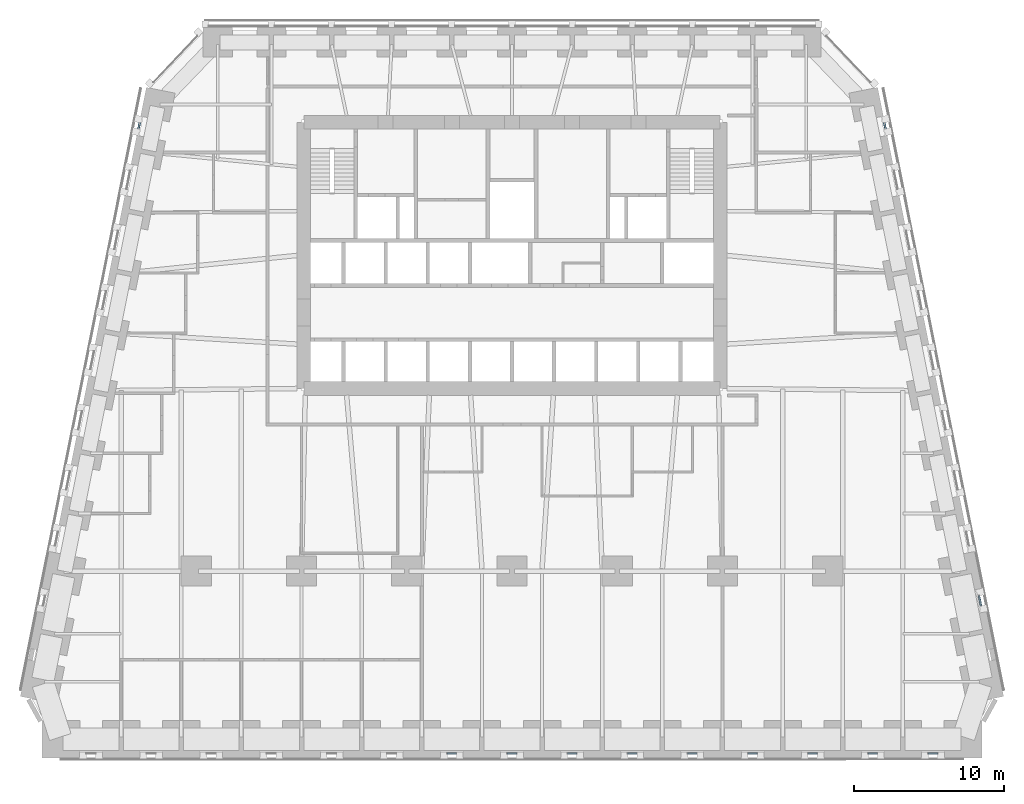
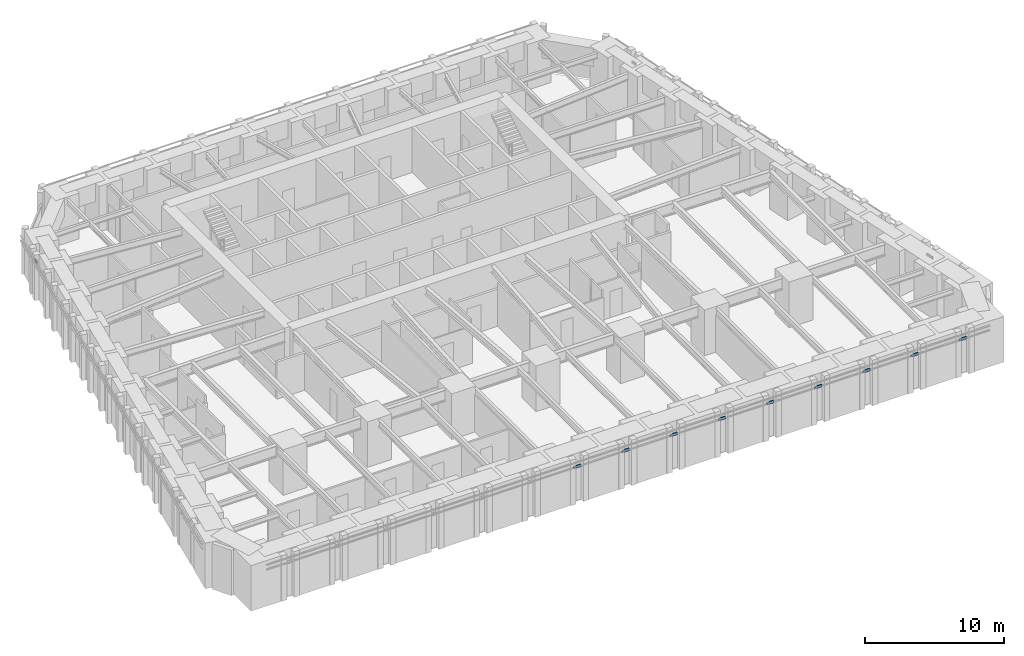
# One storey, part 5 of 16: 12 members, 12 elements without a shape of their own.
"""IFC4 building model written with IfcOpenShell, lengths in metres."""

from ifc_helpers import new_model, si_unit, direction, frame, origin, origin_2d, place, context, subcontext, project, spatial, rectangle, extrude, material, material_profile, profile_set, type_object, element, aggregate, save


model = new_model("IFC4")

# Units and contexts
model_context = context("Model", 3, precision=1e-05, world=origin(), true_north=direction((0.0, 1.0)))
body_context = subcontext(model_context, "Body", "Model", "MODEL_VIEW")
ifc_project = project(units=[si_unit("LENGTHUNIT", "METRE"), si_unit("AREAUNIT", "SQUARE_METRE"), si_unit("VOLUMEUNIT", "CUBIC_METRE"), si_unit("PLANEANGLEUNIT", "RADIAN"), si_unit("MASSUNIT", "GRAM", prefix="KILO")], contexts=[model_context])

# Site, building, storey
site_placement = place(None, origin())
site = spatial("IfcSite", under=ifc_project, at=site_placement, CompositionType="ELEMENT")
building_placement = place(site_placement, origin())
building = spatial("IfcBuilding", under=site, at=building_placement, Name="Isbrekke Arena Tower", CompositionType="ELEMENT")
storey_placement = place(building_placement, frame((0.0, 0.0, 52.0)))
storey = spatial("IfcBuildingStorey", under=building, at=storey_placement, Name="L10", CompositionType="ELEMENT", Elevation=52.0)

# Curtain wall, member
ifc_material_1 = material(Name="Glazed aluminium curtain wall", Category="aluminium")
curtain_wall_type = type_object("IfcCurtainWallType", Name="CWL TOWER CURTAIN WALL LOW ZONE", PredefinedType="USERDEFINED", material=ifc_material_1)
curtain_wall_1_placement = place(storey_placement, origin())
curtain_wall_1 = element("IfcCurtainWall", 1, at=curtain_wall_1_placement, inside=storey, type_object=curtain_wall_type, Name="CWL curtain wall L10-S13", ObjectType="TOWER CURTAIN WALL LOW ZONE", PredefinedType="USERDEFINED")
ifc_material_2 = material(Name="Aluminium transom", Category="aluminium")
ifc_material_profile = material_profile(ifc_material_2, rectangle(XDim=0.1201171875, YDim=0.199951171875, at=origin_2d()), Name="TRANSOM 120X200")
ifc_profile_set = profile_set([ifc_material_profile], Name="Aluminium transom")
member_type = type_object("IfcMemberType", Name="CWL-T TRANSOM 120 x 200", PredefinedType="USERDEFINED", material=ifc_profile_set)
member_1_placement = place(storey_placement, frame((-4.300048828125, -18.125, 3.0), z_axis=(1.0, 0.0, 0.0), x_axis=(0.0, 1.0, 0.0)))
member_1 = element("IfcMember", 2, at=member_1_placement, type_object=member_type, Name="CWL-T transom 1", ObjectType="TRANSOM", PredefinedType="USERDEFINED", context=body_context, shape_type="SweptSolid", body=[
    extrude(rectangle(XDim=0.1201171875, YDim=0.199951171875, at=origin_2d()), origin(), (0.0, 0.0, 1.0), 0.60009765625),
])
aggregate(curtain_wall_1, [member_1])

curtain_wall_2_placement = place(storey_placement, origin())
curtain_wall_2 = element("IfcCurtainWall", 3, at=curtain_wall_2_placement, inside=storey, type_object=curtain_wall_type, Name="CWL curtain wall L10-S15", ObjectType="TOWER CURTAIN WALL LOW ZONE", PredefinedType="USERDEFINED")
member_2_placement = place(storey_placement, frame((-0.300048828125, -18.125, 3.0), z_axis=(1.0, 0.0, 0.0), x_axis=(0.0, 1.0, 0.0)))
member_2 = element("IfcMember", 4, at=member_2_placement, type_object=member_type, Name="CWL-T transom 1", ObjectType="TRANSOM", PredefinedType="USERDEFINED", context=body_context, shape_type="SweptSolid", body=[
    extrude(rectangle(XDim=0.1201171875, YDim=0.199951171875, at=origin_2d()), origin(), (0.0, 0.0, 1.0), 0.60009765625),
])
aggregate(curtain_wall_2, [member_2])

curtain_wall_3_placement = place(storey_placement, origin())
curtain_wall_3 = element("IfcCurtainWall", 5, at=curtain_wall_3_placement, inside=storey, type_object=curtain_wall_type, Name="CWL curtain wall L10-S17", ObjectType="TOWER CURTAIN WALL LOW ZONE", PredefinedType="USERDEFINED")
member_3_placement = place(storey_placement, frame((3.699951171875, -18.125, 3.0), z_axis=(1.0, 0.0, 0.0), x_axis=(0.0, 1.0, 0.0)))
member_3 = element("IfcMember", 6, at=member_3_placement, type_object=member_type, Name="CWL-T transom 1", ObjectType="TRANSOM", PredefinedType="USERDEFINED", context=body_context, shape_type="SweptSolid", body=[
    extrude(rectangle(XDim=0.1201171875, YDim=0.199951171875, at=origin_2d()), origin(), (0.0, 0.0, 1.0), 0.60009765625),
])
aggregate(curtain_wall_3, [member_3])

curtain_wall_4_placement = place(storey_placement, origin())
curtain_wall_4 = element("IfcCurtainWall", 7, at=curtain_wall_4_placement, inside=storey, type_object=curtain_wall_type, Name="CWL curtain wall L10-S19", ObjectType="TOWER CURTAIN WALL LOW ZONE", PredefinedType="USERDEFINED")
member_4_placement = place(storey_placement, frame((7.699951171875, -18.125, 3.0), z_axis=(1.0, 0.0, 0.0), x_axis=(0.0, 1.0, 0.0)))
member_4 = element("IfcMember", 8, at=member_4_placement, type_object=member_type, Name="CWL-T transom 1", ObjectType="TRANSOM", PredefinedType="USERDEFINED", context=body_context, shape_type="SweptSolid", body=[
    extrude(rectangle(XDim=0.1201171875, YDim=0.199951171875, at=origin_2d()), origin(), (0.0, 0.0, 1.0), 0.60009765625),
])
aggregate(curtain_wall_4, [member_4])

curtain_wall_5_placement = place(storey_placement, origin())
curtain_wall_5 = element("IfcCurtainWall", 9, at=curtain_wall_5_placement, inside=storey, type_object=curtain_wall_type, Name="CWL curtain wall L10-S21", ObjectType="TOWER CURTAIN WALL LOW ZONE", PredefinedType="USERDEFINED")
member_5_placement = place(storey_placement, frame((11.699951171875, -18.125, 3.0), z_axis=(1.0, 0.0, 0.0), x_axis=(0.0, 1.0, 0.0)))
member_5 = element("IfcMember", 10, at=member_5_placement, type_object=member_type, Name="CWL-T transom 1", ObjectType="TRANSOM", PredefinedType="USERDEFINED", context=body_context, shape_type="SweptSolid", body=[
    extrude(rectangle(XDim=0.1201171875, YDim=0.199951171875, at=origin_2d()), origin(), (0.0, 0.0, 1.0), 0.60009765625),
])
aggregate(curtain_wall_5, [member_5])

curtain_wall_6_placement = place(storey_placement, origin())
curtain_wall_6 = element("IfcCurtainWall", 11, at=curtain_wall_6_placement, inside=storey, type_object=curtain_wall_type, Name="CWL curtain wall L10-S23", ObjectType="TOWER CURTAIN WALL LOW ZONE", PredefinedType="USERDEFINED")
member_6_placement = place(storey_placement, frame((15.699951171875, -18.125, 3.0), z_axis=(1.0, 0.0, 0.0), x_axis=(0.0, 1.0, 0.0)))
member_6 = element("IfcMember", 12, at=member_6_placement, type_object=member_type, Name="CWL-T transom 1", ObjectType="TRANSOM", PredefinedType="USERDEFINED", context=body_context, shape_type="SweptSolid", body=[
    extrude(rectangle(XDim=0.1201171875, YDim=0.199951171875, at=origin_2d()), origin(), (0.0, 0.0, 1.0), 0.60009765625),
])
aggregate(curtain_wall_6, [member_6])

curtain_wall_7_placement = place(storey_placement, origin())
curtain_wall_7 = element("IfcCurtainWall", 13, at=curtain_wall_7_placement, inside=storey, type_object=curtain_wall_type, Name="CWL curtain wall L10-S25", ObjectType="TOWER CURTAIN WALL LOW ZONE", PredefinedType="USERDEFINED")
member_7_placement = place(storey_placement, frame((19.699951171875, -18.125, 3.0), z_axis=(1.0, 0.0, 0.0), x_axis=(0.0, 1.0, 0.0)))
member_7 = element("IfcMember", 14, at=member_7_placement, type_object=member_type, Name="CWL-T transom 1", ObjectType="TRANSOM", PredefinedType="USERDEFINED", context=body_context, shape_type="SweptSolid", body=[
    extrude(rectangle(XDim=0.1201171875, YDim=0.199951171875, at=origin_2d()), origin(), (0.0, 0.0, 1.0), 0.60009765625),
])
aggregate(curtain_wall_7, [member_7])

curtain_wall_8_placement = place(storey_placement, origin())
curtain_wall_8 = element("IfcCurtainWall", 15, at=curtain_wall_8_placement, inside=storey, type_object=curtain_wall_type, Name="CWL curtain wall L10-S27", ObjectType="TOWER CURTAIN WALL LOW ZONE", PredefinedType="USERDEFINED")
member_8_placement = place(storey_placement, frame((23.699951171875, -18.125, 3.0), z_axis=(1.0, 0.0, 0.0), x_axis=(0.0, 1.0, 0.0)))
member_8 = element("IfcMember", 16, at=member_8_placement, type_object=member_type, Name="CWL-T transom 1", ObjectType="TRANSOM", PredefinedType="USERDEFINED", context=body_context, shape_type="SweptSolid", body=[
    extrude(rectangle(XDim=0.1201171875, YDim=0.199951171875, at=origin_2d()), origin(), (0.0, 0.0, 1.0), 0.60009765625),
])
aggregate(curtain_wall_8, [member_8])

curtain_wall_9_placement = place(storey_placement, origin())
curtain_wall_9 = element("IfcCurtainWall", 17, at=curtain_wall_9_placement, inside=storey, type_object=curtain_wall_type, Name="CWL curtain wall L10-S29", ObjectType="TOWER CURTAIN WALL LOW ZONE", PredefinedType="USERDEFINED")
member_9_placement = place(storey_placement, frame((27.699951171875, -18.125, 3.0), z_axis=(1.0, 0.0, 0.0), x_axis=(0.0, 1.0, 0.0)))
member_9 = element("IfcMember", 18, at=member_9_placement, type_object=member_type, Name="CWL-T transom 1", ObjectType="TRANSOM", PredefinedType="USERDEFINED", context=body_context, shape_type="SweptSolid", body=[
    extrude(rectangle(XDim=0.1201171875, YDim=0.199951171875, at=origin_2d()), origin(), (0.0, 0.0, 1.0), 0.60205078125),
])
aggregate(curtain_wall_9, [member_9])

curtain_wall_10_placement = place(storey_placement, origin())
curtain_wall_10 = element("IfcCurtainWall", 19, at=curtain_wall_10_placement, inside=storey, type_object=curtain_wall_type, Name="CWL curtain wall L10-E3", ObjectType="TOWER CURTAIN WALL LOW ZONE", PredefinedType="USERDEFINED")
member_10_placement = place(storey_placement, frame((31.189208984375, -8.30859375, 3.0), z_axis=(-0.196254379441, 0.980553016695, 0.0), x_axis=(-0.980553016695, -0.196254379441, 0.0)))
member_10 = element("IfcMember", 20, at=member_10_placement, type_object=member_type, Name="CWL-T transom 1", ObjectType="TRANSOM", PredefinedType="USERDEFINED", context=body_context, shape_type="SweptSolid", body=[
    extrude(rectangle(XDim=0.1201171875, YDim=0.199951171875, at=origin_2d()), origin(), (0.0, 0.0, 1.0), 0.67919921875),
])
aggregate(curtain_wall_10, [member_10])

curtain_wall_11_placement = place(storey_placement, origin())
curtain_wall_11 = element("IfcCurtainWall", 21, at=curtain_wall_11_placement, inside=storey, type_object=curtain_wall_type, Name="CWL curtain wall L10-E19", ObjectType="TOWER CURTAIN WALL LOW ZONE", PredefinedType="USERDEFINED")
member_11_placement = place(storey_placement, frame((24.843017578125, 23.421875, 3.0), z_axis=(-0.196000512897, 0.98060379305, 0.0), x_axis=(-0.98060379305, -0.196000512897, 0.0)))
member_11 = element("IfcMember", 22, at=member_11_placement, type_object=member_type, Name="CWL-T transom 1", ObjectType="TRANSOM", PredefinedType="USERDEFINED", context=body_context, shape_type="SweptSolid", body=[
    extrude(rectangle(XDim=0.1201171875, YDim=0.199951171875, at=origin_2d()), origin(), (0.0, 0.0, 1.0), 0.406005859375),
])
aggregate(curtain_wall_11, [member_11])

curtain_wall_12_placement = place(storey_placement, origin())
curtain_wall_12 = element("IfcCurtainWall", 23, at=curtain_wall_12_placement, inside=storey, type_object=curtain_wall_type, Name="CWL curtain wall L10-W", ObjectType="TOWER CURTAIN WALL LOW ZONE", PredefinedType="USERDEFINED")
member_12_placement = place(storey_placement, frame((-24.763427734375, 23.820068359375, 3.0), z_axis=(-0.196000512897, -0.98060379305, 0.0), x_axis=(0.98060379305, -0.196000512897, 0.0)))
member_12 = element("IfcMember", 24, at=member_12_placement, type_object=member_type, Name="CWL-T transom 1", ObjectType="TRANSOM", PredefinedType="USERDEFINED", context=body_context, shape_type="SweptSolid", body=[
    extrude(rectangle(XDim=0.1201171875, YDim=0.199951171875, at=origin_2d()), origin(), (0.0, 0.0, 1.0), 0.406005859375),
])
aggregate(curtain_wall_12, [member_12])

save(model, "model.ifc")
